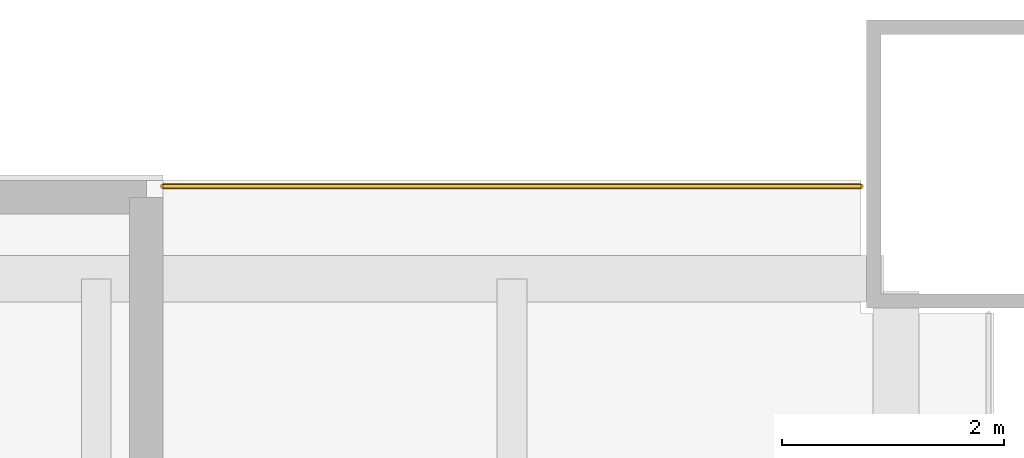
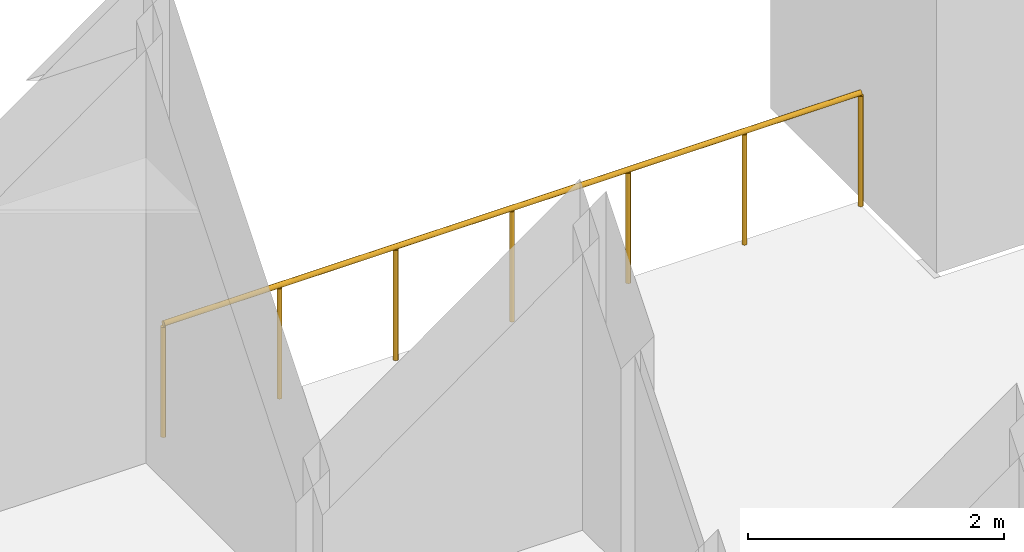
# One storey, part 7 of 7: 1 railing.
"""IFC4 building model written with IfcOpenShell, lengths in metres."""

from ifc_helpers import new_model, si_unit, direction, frame, origin, origin_2d, place, context, subcontext, project, spatial, circle, extrude, material, type_object, element, save


model = new_model("IFC4")

# Units and contexts
model_context = context("Model", 3, precision=1e-05, world=origin(), true_north=direction((0.0, 1.0)))
body_context = subcontext(model_context, "Body", "Model", "MODEL_VIEW")
ifc_project = project(units=[si_unit("LENGTHUNIT", "METRE"), si_unit("AREAUNIT", "SQUARE_METRE"), si_unit("VOLUMEUNIT", "CUBIC_METRE"), si_unit("PLANEANGLEUNIT", "RADIAN"), si_unit("MASSUNIT", "GRAM", prefix="KILO")], contexts=[model_context])

# Site, building, storey
site_placement = place(None, origin())
site = spatial("IfcSite", under=ifc_project, at=site_placement, CompositionType="ELEMENT")
building_placement = place(site_placement, origin())
building = spatial("IfcBuilding", under=site, at=building_placement, Name="Tarangal Relay Tower", CompositionType="ELEMENT")
storey_placement = place(building_placement, frame((0.0, 0.0, 131.39990234375)))
storey = spatial("IfcBuildingStorey", under=building, at=storey_placement, Name="L26", CompositionType="ELEMENT", Elevation=131.39990234375)

# Railing
ifc_material = material(Name="Black steel guard with glass infill", Category="steel")
railing_type = type_object("IfcRailingType", Name="Terrace guard 1100", PredefinedType="GUARDRAIL", material=ifc_material)
railing_placement = place(storey_placement, frame((16.35009765625, 23.800048828125, 0.0)))
element("IfcRailing", 1, at=railing_placement, inside=storey, type_object=railing_type, Name="Terrace guard GR2 NE L26", PredefinedType="GUARDRAIL", context=body_context, shape_type="SweptSolid", body=[
    extrude(circle(Radius=0.02392578125, at=origin_2d()), frame((0.0, 0.0, 1.076171875), z_axis=(1.0, 0.0, 0.0), x_axis=(0.0, 1.0, 0.0)), (0.0, 0.0, 1.0), 6.2998046875),
    extrude(circle(Radius=0.02099609375, at=origin_2d()), origin(), (0.0, 0.0, 1.0), 1.052001953125),
    extrude(circle(Radius=0.02099609375, at=origin_2d()), frame((1.050048828125, 0.0, 0.0)), (0.0, 0.0, 1.0), 1.052001953125),
    extrude(circle(Radius=0.02099609375, at=origin_2d()), frame((2.099853515625, 0.0, 0.0)), (0.0, 0.0, 1.0), 1.052001953125),
    extrude(circle(Radius=0.02099609375, at=origin_2d()), frame((3.14990234375, 0.0, 0.0)), (0.0, 0.0, 1.0), 1.052001953125),
    extrude(circle(Radius=0.02099609375, at=origin_2d()), frame((4.199951171875, 0.0, 0.0)), (0.0, 0.0, 1.0), 1.052001953125),
    extrude(circle(Radius=0.02099609375, at=origin_2d()), frame((5.249755859375, 0.0, 0.0)), (0.0, 0.0, 1.0), 1.052001953125),
    extrude(circle(Radius=0.02099609375, at=origin_2d()), frame((6.2998046875, 0.0, 0.0)), (0.0, 0.0, 1.0), 1.052001953125),
])

save(model, "model.ifc")
